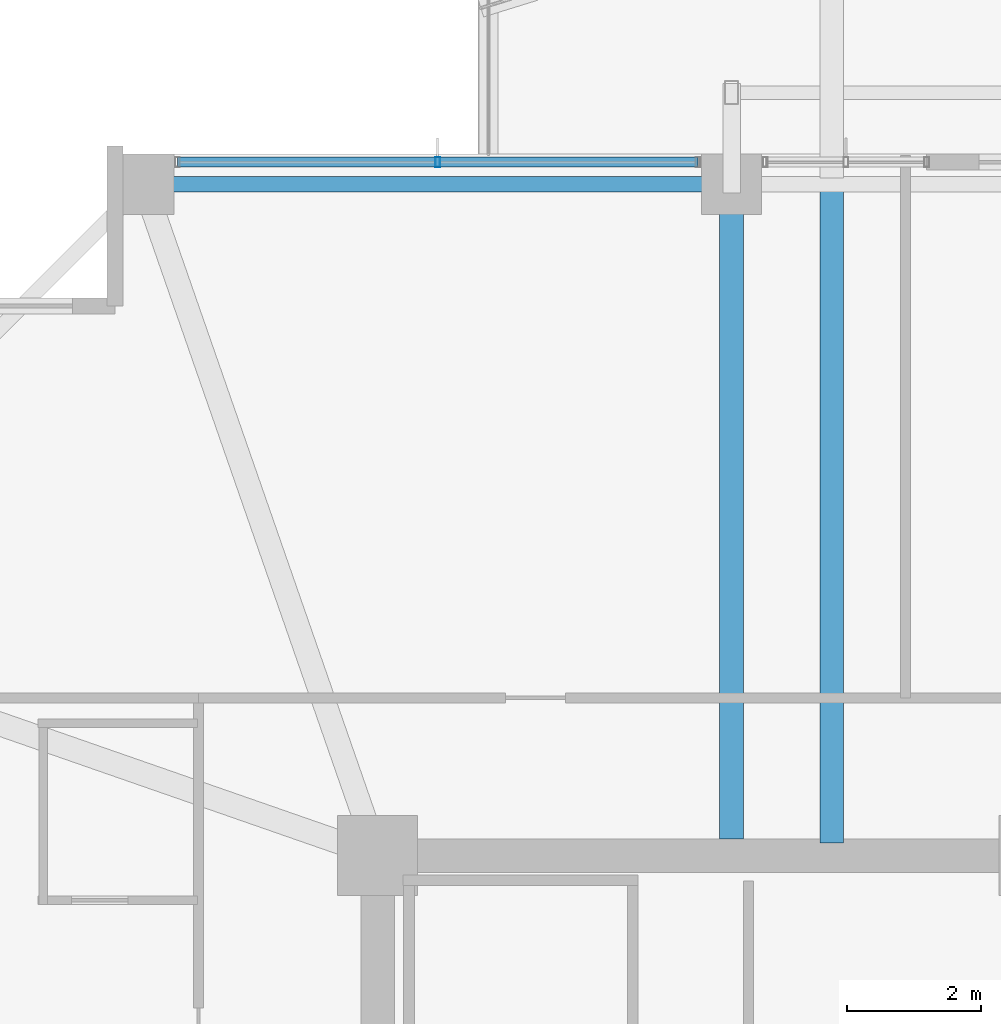
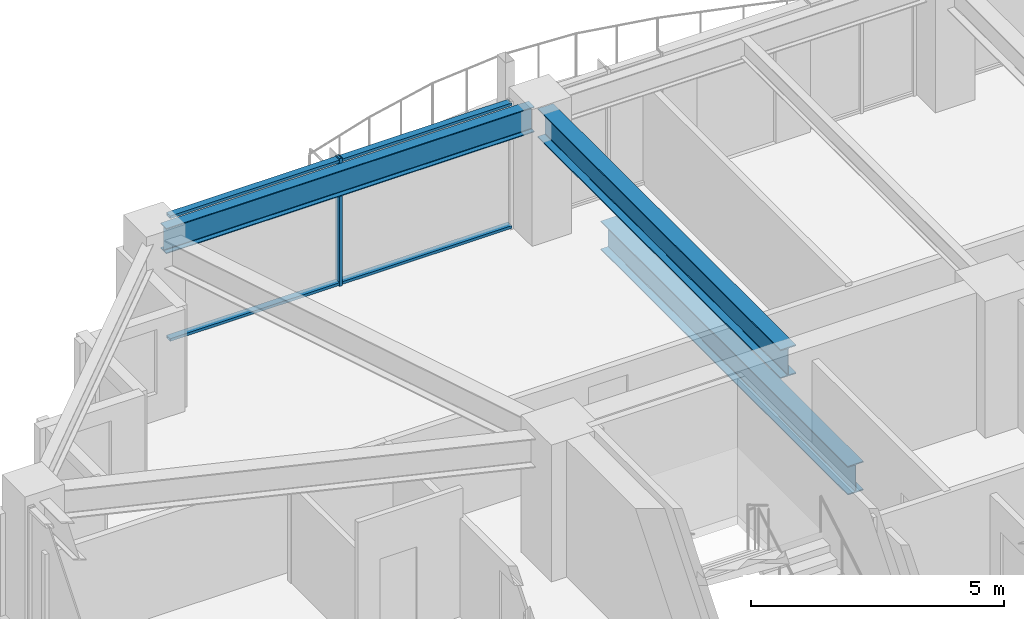
# One storey, part 18 of 37: 3 beams, 3 members, 1 element without a shape of its own.
"""IFC4 building model written with IfcOpenShell, lengths in metres."""

from ifc_helpers import new_model, si_unit, direction, frame, origin, origin_2d, place, context, subcontext, project, spatial, hollow_rectangle, i_section, extrude, material, material_profile, profile_set, type_object, element, aggregate, save


model = new_model("IFC4")

# Units and contexts
model_context = context("Model", 3, precision=1e-05, world=origin(), true_north=direction((0.0, 1.0)))
body_context = subcontext(model_context, "Body", "Model", "MODEL_VIEW")
ifc_project = project(units=[si_unit("LENGTHUNIT", "METRE"), si_unit("AREAUNIT", "SQUARE_METRE"), si_unit("VOLUMEUNIT", "CUBIC_METRE"), si_unit("PLANEANGLEUNIT", "RADIAN"), si_unit("MASSUNIT", "GRAM", prefix="KILO")], contexts=[model_context])

# Site, building, storey
site_placement = place(None, origin())
site = spatial("IfcSite", under=ifc_project, at=site_placement, CompositionType="ELEMENT")
building_placement = place(site_placement, origin())
building = spatial("IfcBuilding", under=site, at=building_placement, Name="Kolvaren Belvedere", CompositionType="ELEMENT")
storey_placement = place(building_placement, frame((0.0, 0.0, 173.39990234375)))
storey = spatial("IfcBuildingStorey", under=building, at=storey_placement, Name="L50", CompositionType="ELEMENT", Elevation=173.39990234375)

# Beams
ifc_material_1 = material(Name="Structural steel ASTM A992 Grade 50", Category="steel")
ifc_material_profile_1 = material_profile(ifc_material_1, i_section(OverallWidth=0.35498046875, OverallDepth=0.696044921875, WebThickness=0.015380859375, FlangeThickness=0.02490234375, FilletRadius=0.02197265625, at=origin_2d()), Name="W27X146")
ifc_profile_set_1 = profile_set([ifc_material_profile_1], Name="Structural steel ASTM A992 Grade 50")
beam_type_1 = type_object("IfcBeamType", Name="BM-GIRD-W27X146", PredefinedType="BEAM", material=ifc_profile_set_1)
beam_1_placement = place(storey_placement, frame((-3.10009765625, 10.090087890625, -0.56787109375), z_axis=(0.0, 1.0, 0.0), x_axis=(-1.0, 0.0, 0.0)))
element("IfcBeam", 1, at=beam_1_placement, inside=storey, type_object=beam_type_1, Name="L50 Balcony Interior Back-Span Girder BAL-N-1", PredefinedType="BEAM", context=body_context, shape_type="SweptSolid", body=[
    extrude(i_section(OverallWidth=0.35498046875, OverallDepth=0.696044921875, WebThickness=0.015380859375, FlangeThickness=0.02490234375, FilletRadius=0.02197265625, at=origin_2d()), origin(), (0.0, 0.0, 1.0), 9.764892578125),
])
beam_2_placement = place(storey_placement, frame((-4.60009765625, 10.14990234375, 2.732177734375), z_axis=(0.0, 1.0, 0.0), x_axis=(-1.0, 0.0, 0.0)))
element("IfcBeam", 2, at=beam_2_placement, inside=storey, type_object=beam_type_1, Name="L50 North Radial Girder M", PredefinedType="BEAM", context=body_context, shape_type="SweptSolid", body=[
    extrude(i_section(OverallWidth=0.35498046875, OverallDepth=0.696044921875, WebThickness=0.015380859375, FlangeThickness=0.02490234375, FilletRadius=0.02197265625, at=origin_2d()), origin(), (0.0, 0.0, 1.0), 9.59765625),
])
ifc_material_2 = material(Name="Structural steel ASTM A992 Grade 50", Category="steel")
ifc_material_profile_2 = material_profile(ifc_material_2, i_section(OverallWidth=0.22900390625, OverallDepth=0.612060546875, WebThickness=0.011962890625, FlangeThickness=0.01953125, FilletRadius=0.01806640625, at=origin_2d()), Name="W24X84")
ifc_profile_set_2 = profile_set([ifc_material_profile_2], Name="Structural steel ASTM A992 Grade 50")
beam_type_2 = type_object("IfcBeamType", Name="BM-SPAN-W24X84", PredefinedType="SPANDREL", material=ifc_profile_set_2)
beam_3_placement = place(storey_placement, frame((-4.802490234375, 19.949951171875, 2.774169921875), z_axis=(-1.0, 0.0, 0.0), x_axis=(0.0, -1.0, 0.0)))
element("IfcBeam", 3, at=beam_3_placement, inside=storey, type_object=beam_type_2, Name="L50 Perimeter Spandrel N2-N1", PredefinedType="SPANDREL", context=body_context, shape_type="SweptSolid", body=[
    extrude(i_section(OverallWidth=0.22900390625, OverallDepth=0.612060546875, WebThickness=0.011962890625, FlangeThickness=0.01953125, FilletRadius=0.01806640625, at=origin_2d()), origin(), (0.0, 0.0, 1.0), 8.39501953125),
])

# Curtain wall, members
ifc_material_3 = material(Name="Anodised pale-metal aluminium AA 6063-T6", Category="aluminium")
curtain_wall_type = type_object("IfcCurtainWallType", Name="CW-Z5-HIGH", PredefinedType="NOTDEFINED", material=ifc_material_3)
curtain_wall_placement = place(storey_placement, origin())
curtain_wall = element("IfcCurtainWall", 4, at=curtain_wall_placement, inside=storey, type_object=curtain_wall_type, Name="L50 Unitised Curtain Wall FCW-L50-N1-B1", PredefinedType="NOTDEFINED")
ifc_material_4 = material(Name="Anodised pale-metal aluminium AA 6063-T6", Category="aluminium")
ifc_material_profile_3 = material_profile(ifc_material_4, hollow_rectangle(XDim=0.070068359375, YDim=0.14990234375, WallThickness=0.004150390625, at=origin_2d()), Name="ALU-MUL-150X70")
ifc_profile_set_3 = profile_set([ifc_material_profile_3], Name="Anodised pale-metal aluminium AA 6063-T6")
member_type_1 = type_object("IfcMemberType", Name="CW-MUL-150", PredefinedType="MULLION", material=ifc_profile_set_3)
member_1_placement = place(storey_placement, frame((-9.0, 20.280029296875, 0.0), z_axis=(0.0, 0.0, 1.0), x_axis=(1.0, 0.0, 0.0)))
member_1 = element("IfcMember", 5, at=member_1_placement, type_object=member_type_1, Name="FCW-L50-N1-B1 Unitised Mullion 2", PredefinedType="MULLION", context=body_context, shape_type="SweptSolid", body=[
    extrude(hollow_rectangle(XDim=0.070068359375, YDim=0.14990234375, WallThickness=0.004150390625, at=origin_2d()), origin(), (0.0, 0.0, 1.0), 3.080078125),
])
ifc_material_5 = material(Name="Anodised pale-metal aluminium AA 6063-T6", Category="aluminium")
ifc_material_profile_4 = material_profile(ifc_material_5, hollow_rectangle(XDim=0.06494140625, YDim=0.14990234375, WallThickness=0.00390625, at=origin_2d()), Name="ALU-TRN-150X65")
ifc_profile_set_4 = profile_set([ifc_material_profile_4], Name="Anodised pale-metal aluminium AA 6063-T6")
member_type_2 = type_object("IfcMemberType", Name="CW-TRN-150", PredefinedType="USERDEFINED", material=ifc_profile_set_4)
member_2_placement = place(storey_placement, frame((-12.89501953125, 20.280029296875, 0.06005859375), z_axis=(1.0, 0.0, 0.0), x_axis=(0.0, 0.0, 1.0)))
member_2 = element("IfcMember", 6, at=member_2_placement, type_object=member_type_2, Name="FCW-L50-N1-B1 Sill Transom", ObjectType="TRANSOM", PredefinedType="USERDEFINED", context=body_context, shape_type="SweptSolid", body=[
    extrude(hollow_rectangle(XDim=0.06494140625, YDim=0.14990234375, WallThickness=0.00390625, at=origin_2d()), origin(), (0.0, 0.0, 1.0), 7.7900390625),
])
member_3_placement = place(storey_placement, frame((-12.89501953125, 20.280029296875, 3.02001953125), z_axis=(1.0, 0.0, 0.0), x_axis=(0.0, 0.0, 1.0)))
member_3 = element("IfcMember", 7, at=member_3_placement, type_object=member_type_2, Name="FCW-L50-N1-B1 Head Transom", ObjectType="TRANSOM", PredefinedType="USERDEFINED", context=body_context, shape_type="SweptSolid", body=[
    extrude(hollow_rectangle(XDim=0.06494140625, YDim=0.14990234375, WallThickness=0.00390625, at=origin_2d()), origin(), (0.0, 0.0, 1.0), 7.7900390625),
])
aggregate(curtain_wall, [member_1, member_2, member_3])

save(model, "model.ifc")
